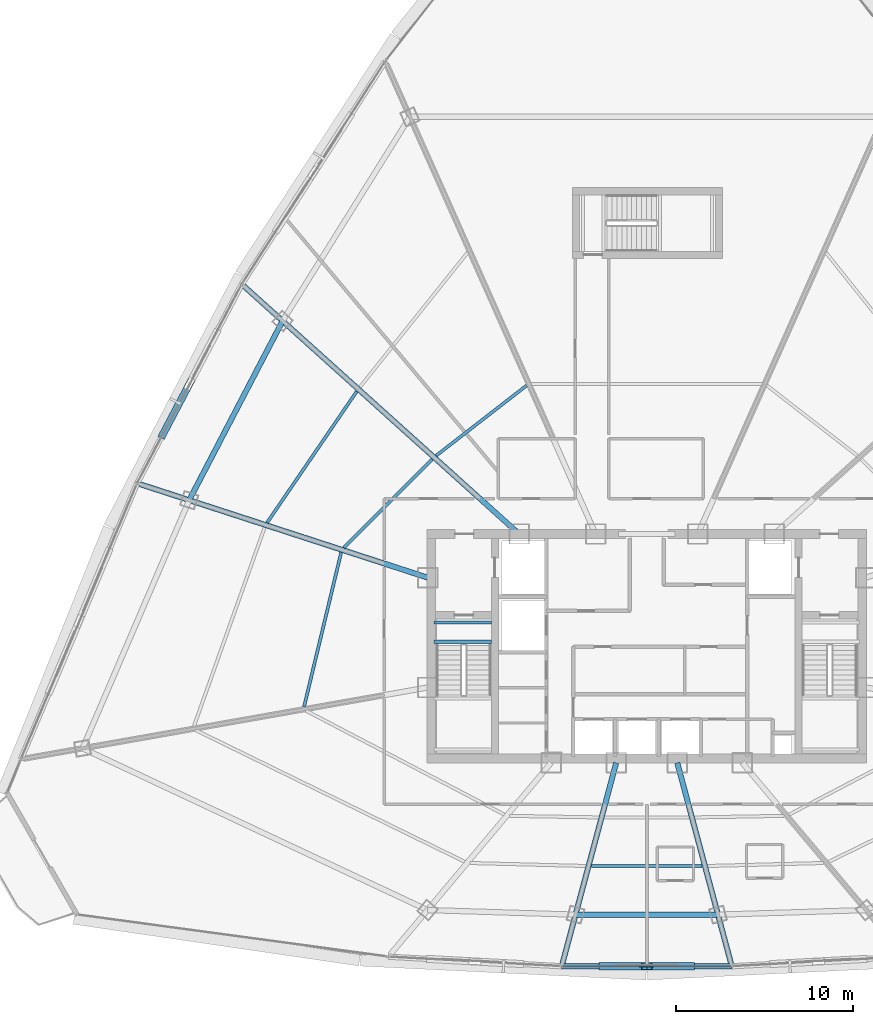
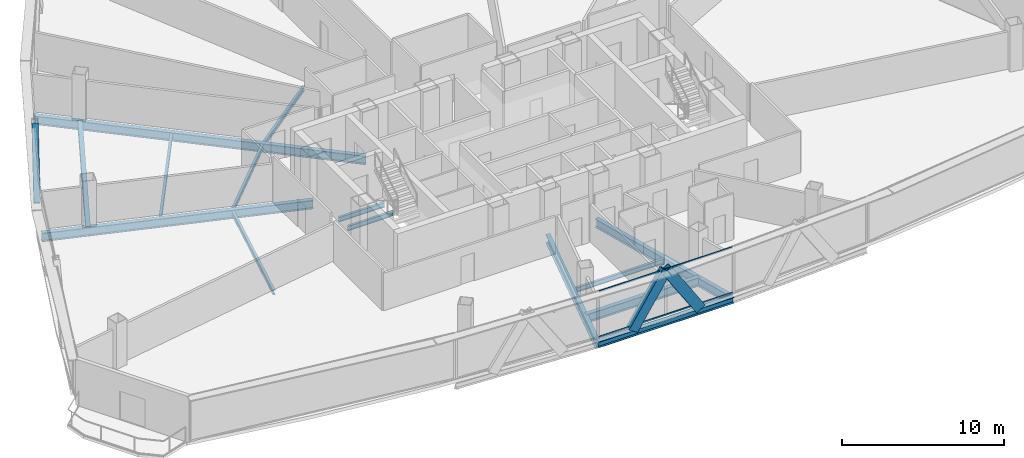
# One storey, part 9 of 34: 14 beams, 5 members, 1 element without a shape of its own.
"""IFC4 building model written with IfcOpenShell, lengths in metres."""

from ifc_helpers import new_model, si_unit, direction, frame, origin, origin_2d, place, context, subcontext, project, spatial, hollow_rectangle, i_section, extrude, source, transform, mapped, material, layer, layer_set, material_profile, profile_set, type_object, element, aggregate, save


model = new_model("IFC4")

# Units and contexts
model_context = context("Model", 3, precision=1e-05, world=origin(), true_north=direction((0.0, 1.0)))
body_context = subcontext(model_context, "Body", "Model", "MODEL_VIEW")
ifc_project = project(units=[si_unit("LENGTHUNIT", "METRE"), si_unit("AREAUNIT", "SQUARE_METRE"), si_unit("VOLUMEUNIT", "CUBIC_METRE"), si_unit("PLANEANGLEUNIT", "RADIAN"), si_unit("MASSUNIT", "GRAM", prefix="KILO"), si_unit("THERMODYNAMICTEMPERATUREUNIT", "KELVIN"), si_unit("POWERUNIT", "WATT")], contexts=[model_context])

# Site, building, storey
site_placement = place(None, origin())
site = spatial("IfcSite", under=ifc_project, at=site_placement, CompositionType="ELEMENT")
building_placement = place(site_placement, origin())
building = spatial("IfcBuilding", under=site, at=building_placement, Name="Yunzhuo Pagoda Commons", CompositionType="ELEMENT")
storey_placement = place(building_placement, frame((0.0, 0.0, 229.610107421875)))
storey = spatial("IfcBuildingStorey", under=building, at=storey_placement, Name="L57", CompositionType="ELEMENT", Elevation=229.610107421875)

# Beams
ifc_material_1 = material(Name="Structural steel Q355B", Category="steel")
ifc_material_profile_1 = material_profile(ifc_material_1, i_section(OverallWidth=0.175048828125, OverallDepth=0.35009765625, WebThickness=0.007080078125, FlangeThickness=0.010986328125, at=origin_2d()), Name="Structural steel Q355B")
ifc_profile_set_1 = profile_set([ifc_material_profile_1], Name="Structural steel Q355B")
beam_type_1 = type_object("IfcBeamType", Name="B-JS2 Joist HN 350x175x7x11", PredefinedType="JOIST", material=ifc_profile_set_1)
shared_shape_1 = source(origin(), body_context, "Body", "SweptSolid", [
    extrude(i_section(OverallWidth=0.175048828125, OverallDepth=0.35009765625, WebThickness=0.007080078125, FlangeThickness=0.010986328125, at=origin_2d()), origin(), (0.0, 0.0, 1.0), 3.25),
])
for number, where, z_axis, x_axis, name in (
    (1, (35.949951171875, 34.10009765625, -0.375), (1.0, 0.0, 0.0), (0.0, 1.0, 0.0), "L57 ST1 landing support beam 161A"),
    (2, (35.949951171875, 35.199951171875, -0.375), (1.0, 0.0, 0.0), (0.0, 1.0, 0.0), "L57 ST1 landing support beam 161B"),
):
    element("IfcBeam", number, at=place(storey_placement, frame(where, z_axis=z_axis, x_axis=x_axis)), inside=storey, type_object=beam_type_1, Name=name, PredefinedType="JOIST", context=body_context, shape_type="MappedRepresentation", body=[
        mapped(shared_shape_1, transform((0.0, 0.0, 0.0), scale=1.0)),
    ])
ifc_material_profile_2 = material_profile(ifc_material_1, i_section(OverallWidth=0.300048828125, OverallDepth=0.43994140625, WebThickness=0.010986328125, FlangeThickness=0.01806640625, at=origin_2d()), Name="Structural steel Q355B")
ifc_profile_set_2 = profile_set([ifc_material_profile_2], Name="Structural steel Q355B")
beam_type_2 = type_object("IfcBeamType", Name="B-SP2 Beam HM 440x300x11x18", PredefinedType="BEAM", material=ifc_profile_set_2)
shared_shape_2 = source(origin(), body_context, "Body", "SweptSolid", [
    extrude(i_section(OverallWidth=0.300048828125, OverallDepth=0.43994140625, WebThickness=0.010986328125, FlangeThickness=0.01806640625, at=origin_2d()), origin(), (0.0, 0.0, 1.0), 9.62841796875),
])
beam_1_placement = place(storey_placement, frame((43.185791015625, 15.7333984375, -0.480224609375), z_axis=(1.0, 0.0, 0.0), x_axis=(0.0, 1.0, 0.0)))
element("IfcBeam", 3, at=beam_1_placement, inside=storey, type_object=beam_type_2, Name="L57 facade edge spandrel beam F1.2", PredefinedType="BEAM", context=body_context, shape_type="MappedRepresentation", body=[
    mapped(shared_shape_2, transform((0.0, 0.0, 0.0), scale=1.0)),
])
ifc_material_profile_3 = material_profile(ifc_material_1, i_section(OverallWidth=0.300048828125, OverallDepth=0.64990234375, WebThickness=0.012939453125, FlangeThickness=0.02197265625, at=origin_2d()), Name="Structural steel Q355B")
ifc_profile_set_3 = profile_set([ifc_material_profile_3], Name="Structural steel Q355B")
beam_type_3 = type_object("IfcBeamType", Name="B-RG2 Beam HN 650x300x13x22", PredefinedType="BEAM", material=ifc_profile_set_3)
shared_shape_3 = source(origin(), body_context, "Body", "SweptSolid", [
    extrude(i_section(OverallWidth=0.300048828125, OverallDepth=0.64990234375, WebThickness=0.012939453125, FlangeThickness=0.02197265625, at=origin_2d()), origin(), (0.0, 0.0, 1.0), 8.06298828125),
])
beam_2_placement = place(storey_placement, frame((43.968505859375, 18.654052734375, -0.585205078125), z_axis=(1.0, 0.0, 0.0), x_axis=(0.0, 1.0, 0.0)))
element("IfcBeam", 4, at=beam_2_placement, inside=storey, type_object=beam_type_3, Name="L57 column-ring beam 2", PredefinedType="BEAM", context=body_context, shape_type="MappedRepresentation", body=[
    mapped(shared_shape_3, transform((0.0, 0.0, 0.0), scale=1.0)),
])
shared_shape_4 = source(origin(), body_context, "Body", "SweptSolid", [
    extrude(i_section(OverallWidth=0.300048828125, OverallDepth=0.64990234375, WebThickness=0.012939453125, FlangeThickness=0.02197265625, at=origin_2d()), origin(), (0.0, 0.0, 1.0), 11.43896484375),
])
beam_3_placement = place(storey_placement, frame((27.38818359375, 52.259033203125, -0.585205078125), z_axis=(-0.462142168026, -0.886805850529, 0.0), x_axis=(0.886805850529, -0.462142168026, 0.0)))
element("IfcBeam", 5, at=beam_3_placement, inside=storey, type_object=beam_type_3, Name="L57 column-ring beam 10", PredefinedType="BEAM", context=body_context, shape_type="MappedRepresentation", body=[
    mapped(shared_shape_4, transform((0.0, 0.0, 0.0), scale=1.0)),
])
shared_shape_5 = source(origin(), body_context, "Body", "SweptSolid", [
    extrude(i_section(OverallWidth=0.300048828125, OverallDepth=0.64990234375, WebThickness=0.012939453125, FlangeThickness=0.02197265625, at=origin_2d()), origin(), (0.0, 0.0, 1.0), 11.76806640625),
])
beam_4_placement = place(storey_placement, frame((43.22607421875, 15.883056640625, -0.585205078125), z_axis=(0.258829759859, 0.965922955215, 0.0), x_axis=(-0.965922955215, 0.258829759859, 0.0)))
element("IfcBeam", 6, at=beam_4_placement, inside=storey, type_object=beam_type_3, Name="L57 radial floor girder F1C2", PredefinedType="BEAM", context=body_context, shape_type="MappedRepresentation", body=[
    mapped(shared_shape_5, transform((0.0, 0.0, 0.0), scale=1.0)),
])
shared_shape_6 = source(origin(), body_context, "Body", "SweptSolid", [
    extrude(i_section(OverallWidth=0.300048828125, OverallDepth=0.64990234375, WebThickness=0.012939453125, FlangeThickness=0.02197265625, at=origin_2d()), origin(), (0.0, 0.0, 1.0), 11.767822265625),
])
beam_5_placement = place(storey_placement, frame((52.77392578125, 15.883056640625, -0.585205078125), z_axis=(-0.258791046504, 0.965933328056, 0.0), x_axis=(-0.965933328056, -0.258791046504, 0.0)))
element("IfcBeam", 7, at=beam_5_placement, inside=storey, type_object=beam_type_3, Name="L57 radial floor girder F1C3", PredefinedType="BEAM", context=body_context, shape_type="MappedRepresentation", body=[
    mapped(shared_shape_6, transform((0.0, 0.0, 0.0), scale=1.0)),
])
shared_shape_7 = source(origin(), body_context, "Body", "SweptSolid", [
    extrude(i_section(OverallWidth=0.300048828125, OverallDepth=0.64990234375, WebThickness=0.012939453125, FlangeThickness=0.02197265625, at=origin_2d()), origin(), (0.0, 0.0, 1.0), 20.974609375),
])
beam_6_placement = place(storey_placement, frame((25.19384765625, 54.23486328125, -0.585205078125), z_axis=(0.743140751916, -0.669135130479, 0.0), x_axis=(0.669135130479, 0.743140751916, 0.0)))
element("IfcBeam", 8, at=beam_6_placement, inside=storey, type_object=beam_type_3, Name="L57 radial floor girder F3C2", PredefinedType="BEAM", context=body_context, shape_type="MappedRepresentation", body=[
    mapped(shared_shape_7, transform((0.0, 0.0, 0.0), scale=1.0)),
])
shared_shape_8 = source(origin(), body_context, "Body", "SweptSolid", [
    extrude(i_section(OverallWidth=0.300048828125, OverallDepth=0.64990234375, WebThickness=0.012939453125, FlangeThickness=0.02197265625, at=origin_2d()), origin(), (0.0, 0.0, 1.0), 17.135498046875),
])
beam_7_placement = place(storey_placement, frame((19.30322265625, 43.024169921875, -0.585205078125), z_axis=(0.951056681956, -0.309016484524, 0.0), x_axis=(0.309016484524, 0.951056681956, 0.0)))
element("IfcBeam", 9, at=beam_7_placement, inside=storey, type_object=beam_type_3, Name="L57 radial floor girder F3C3", PredefinedType="BEAM", context=body_context, shape_type="MappedRepresentation", body=[
    mapped(shared_shape_8, transform((0.0, 0.0, 0.0), scale=1.0)),
])
shared_shape_9 = source(origin(), body_context, "Body", "SweptSolid", [
    extrude(i_section(OverallWidth=0.175048828125, OverallDepth=0.35009765625, WebThickness=0.007080078125, FlangeThickness=0.010986328125, at=origin_2d()), origin(), (0.0, 0.0, 1.0), 6.27099609375),
])
beam_8_placement = place(storey_placement, frame((44.864501953125, 21.40478515625, -0.43505859375), z_axis=(1.0, 0.0, 0.0), x_axis=(0.0, 1.0, 0.0)))
element("IfcBeam", 10, at=beam_8_placement, inside=storey, type_object=beam_type_1, Name="L57 composite ring joist 2.2", PredefinedType="JOIST", context=body_context, shape_type="MappedRepresentation", body=[
    mapped(shared_shape_9, transform((0.0, 0.0, 0.0), scale=1.0)),
])
shared_shape_10 = source(origin(), body_context, "Body", "SweptSolid", [
    extrude(i_section(OverallWidth=0.175048828125, OverallDepth=0.35009765625, WebThickness=0.007080078125, FlangeThickness=0.010986328125, at=origin_2d()), origin(), (0.0, 0.0, 1.0), 8.973876953125),
])
beam_9_placement = place(storey_placement, frame((30.703369140625, 39.1533203125, -0.43505859375), z_axis=(-0.233807152827, -0.972282991359, 0.0), x_axis=(0.972282991359, -0.233807152827, 0.0)))
element("IfcBeam", 11, at=beam_9_placement, inside=storey, type_object=beam_type_1, Name="L57 composite ring joist 1.11", PredefinedType="JOIST", context=body_context, shape_type="MappedRepresentation", body=[
    mapped(shared_shape_10, transform((0.0, 0.0, 0.0), scale=1.0)),
])
shared_shape_11 = source(origin(), body_context, "Body", "SweptSolid", [
    extrude(i_section(OverallWidth=0.175048828125, OverallDepth=0.35009765625, WebThickness=0.007080078125, FlangeThickness=0.010986328125, at=origin_2d()), origin(), (0.0, 0.0, 1.0), 7.0732421875),
])
beam_10_placement = place(storey_placement, frame((35.847412109375, 44.4287109375, -0.43505859375), z_axis=(-0.706139657206, -0.708072584218, 0.0), x_axis=(0.708072584218, -0.706139657206, 0.0)))
element("IfcBeam", 12, at=beam_10_placement, inside=storey, type_object=beam_type_1, Name="L57 composite ring joist 1.10", PredefinedType="JOIST", context=body_context, shape_type="MappedRepresentation", body=[
    mapped(shared_shape_11, transform((0.0, 0.0, 0.0), scale=1.0)),
])
shared_shape_12 = source(origin(), body_context, "Body", "SweptSolid", [
    extrude(i_section(OverallWidth=0.175048828125, OverallDepth=0.35009765625, WebThickness=0.007080078125, FlangeThickness=0.010986328125, at=origin_2d()), origin(), (0.0, 0.0, 1.0), 8.99365234375),
])
beam_11_placement = place(storey_placement, frame((31.583984375, 48.268798828125, -0.43505859375), z_axis=(-0.564098900337, -0.825707230584, 0.0), x_axis=(0.825707230584, -0.564098900337, 0.0)))
element("IfcBeam", 13, at=beam_11_placement, inside=storey, type_object=beam_type_1, Name="L57 composite ring joist 2.10", PredefinedType="JOIST", context=body_context, shape_type="MappedRepresentation", body=[
    mapped(shared_shape_12, transform((0.0, 0.0, 0.0), scale=1.0)),
])
shared_shape_13 = source(origin(), body_context, "Body", "SweptSolid", [
    extrude(i_section(OverallWidth=0.175048828125, OverallDepth=0.35009765625, WebThickness=0.007080078125, FlangeThickness=0.010986328125, at=origin_2d()), origin(), (0.0, 0.0, 1.0), 6.4677734375),
])
beam_12_placement = place(storey_placement, frame((41.19580078125, 48.602783203125, -0.43505859375), z_axis=(-0.790160481991, -0.612900002202, 0.0), x_axis=(0.612900002202, -0.790160481991, 0.0)))
element("IfcBeam", 14, at=beam_12_placement, inside=storey, type_object=beam_type_1, Name="L57 composite ring joist 1.9", PredefinedType="JOIST", context=body_context, shape_type="MappedRepresentation", body=[
    mapped(shared_shape_13, transform((0.0, 0.0, 0.0), scale=1.0)),
])

# Members
ifc_material_profile_4 = material_profile(ifc_material_1, hollow_rectangle(XDim=0.39990234375, YDim=0.719970703125, WallThickness=0.02392578125, at=origin_2d()), Name="Structural steel Q355B")
ifc_profile_set_4 = profile_set([ifc_material_profile_4], Name="Structural steel Q355B")
member_type_1 = type_object("IfcMemberType", Name="M-DL2 Brace BOX 720x400x24", PredefinedType="BRACE", material=ifc_profile_set_4)
shared_shape_14 = source(origin(), body_context, "Body", "SweptSolid", [
    extrude(hollow_rectangle(XDim=0.39990234375, YDim=0.719970703125, WallThickness=0.02392578125, at=origin_2d()), origin(), (0.0, 0.0, 1.0), 4.439208984375),
])
for number, where, z_axis, x_axis, name in (
    (15, (45.593017578125, 15.7333984375, -0.260009765625), (0.542213302019, 0.0, 0.840240879221), (0.0, 1.0, 0.0), "L57 facade diamond brace F1.2L"),
    (16, (50.406982421875, 15.7333984375, -0.260009765625), (-0.542213302019, 0.0, 0.840240879221), (0.0, -1.0, 0.0), "L57 facade diamond brace F1.2R"),
):
    element("IfcMember", number, at=place(storey_placement, frame(where, z_axis=z_axis, x_axis=x_axis)), inside=storey, type_object=member_type_1, Name=name, PredefinedType="BRACE", context=body_context, shape_type="MappedRepresentation", body=[
        mapped(shared_shape_14, transform((0.0, 0.0, 0.0), scale=1.0)),
    ])
shared_shape_15 = source(origin(), body_context, "Body", "SweptSolid", [
    extrude(hollow_rectangle(XDim=0.39990234375, YDim=0.719970703125, WallThickness=0.02392578125, at=origin_2d()), origin(), (0.0, 0.0, 1.0), 4.903076171875),
])
member_1_placement = place(storey_placement, frame((20.636474609375, 45.888671875, -0.260009765625), z_axis=(0.302050581027, 0.57447371469, 0.760753177865), x_axis=(-0.885111192899, 0.465379604414, 0.0)))
element("IfcMember", 17, at=member_1_placement, inside=storey, type_object=member_type_1, Name="L57 facade diamond brace F3.2R", PredefinedType="BRACE", context=body_context, shape_type="MappedRepresentation", body=[
    mapped(shared_shape_15, transform((0.0, 0.0, 0.0), scale=1.0)),
])

# Curtain wall, members
ifc_material_2 = material(Name="Anodized aluminium 6063-T6", Category="aluminium")
ifc_layer = layer(ifc_material_2, 0.139892578125)
ifc_layer_set = layer_set([ifc_layer], Name="Anodized aluminium 6063-T6")
curtain_wall_type = type_object("IfcCurtainWallType", Name="CW-HI High-Zone Ribbon Curtain Wall", PredefinedType="NOTDEFINED", material=ifc_layer_set)
curtain_wall_placement = place(storey_placement, origin())
curtain_wall = element("IfcCurtainWall", 18, at=curtain_wall_placement, inside=storey, type_object=curtain_wall_type, Name="L57 curtain wall CW-L57-F1B3", PredefinedType="NOTDEFINED")
ifc_material_profile_5 = material_profile(ifc_material_2, hollow_rectangle(XDim=0.054931640625, YDim=0.1201171875, WallThickness=0.00341796875, at=origin_2d()), Name="Anodized aluminium 6063-T6")
ifc_profile_set_5 = profile_set([ifc_material_profile_5], Name="Anodized aluminium 6063-T6")
member_type_2 = type_object("IfcMemberType", Name="CW-HI-T Transom RHS 120x55x3.5", PredefinedType="USERDEFINED", material=ifc_profile_set_5)
shared_shape_16 = source(origin(), body_context, "Body", "SweptSolid", [
    extrude(hollow_rectangle(XDim=0.054931640625, YDim=0.1201171875, WallThickness=0.00341796875, at=origin_2d()), origin(), (0.0, 0.0, 1.0), 9.50830078125),
])
member_2_placement = place(storey_placement, frame((43.245849609375, 15.7333984375, 0.02734375), z_axis=(1.0, 0.0, 0.0), x_axis=(0.0, 1.0, 0.0)))
member_2 = element("IfcMember", 19, at=member_2_placement, type_object=member_type_2, Name="CW transom 1.1", ObjectType="TRANSOM", PredefinedType="USERDEFINED", context=body_context, shape_type="MappedRepresentation", body=[
    mapped(shared_shape_16, transform((0.0, 0.0, 0.0), scale=1.0)),
])
member_3_placement = place(storey_placement, frame((43.245849609375, 15.7333984375, 3.4423828125), z_axis=(1.0, 0.0, 0.0), x_axis=(0.0, 1.0, 0.0)))
member_3 = element("IfcMember", 20, at=member_3_placement, type_object=member_type_2, Name="CW transom 1.2", ObjectType="TRANSOM", PredefinedType="USERDEFINED", context=body_context, shape_type="MappedRepresentation", body=[
    mapped(shared_shape_16, transform((0.0, 0.0, 0.0), scale=1.0)),
])
aggregate(curtain_wall, [member_2, member_3])

save(model, "model.ifc")
